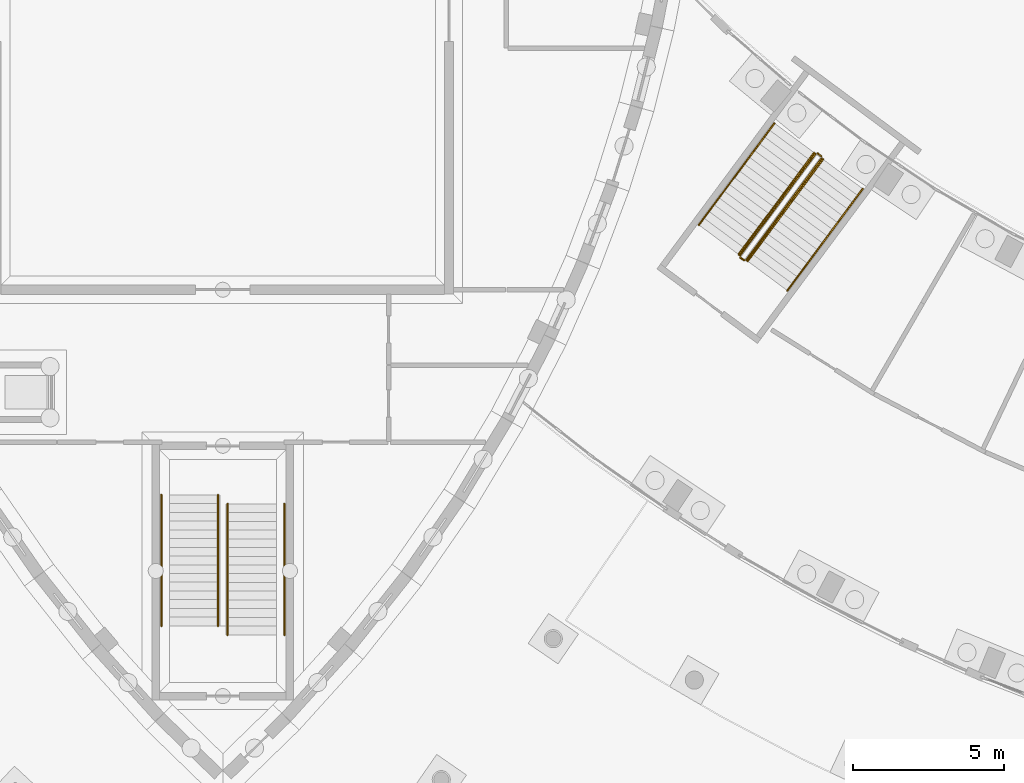
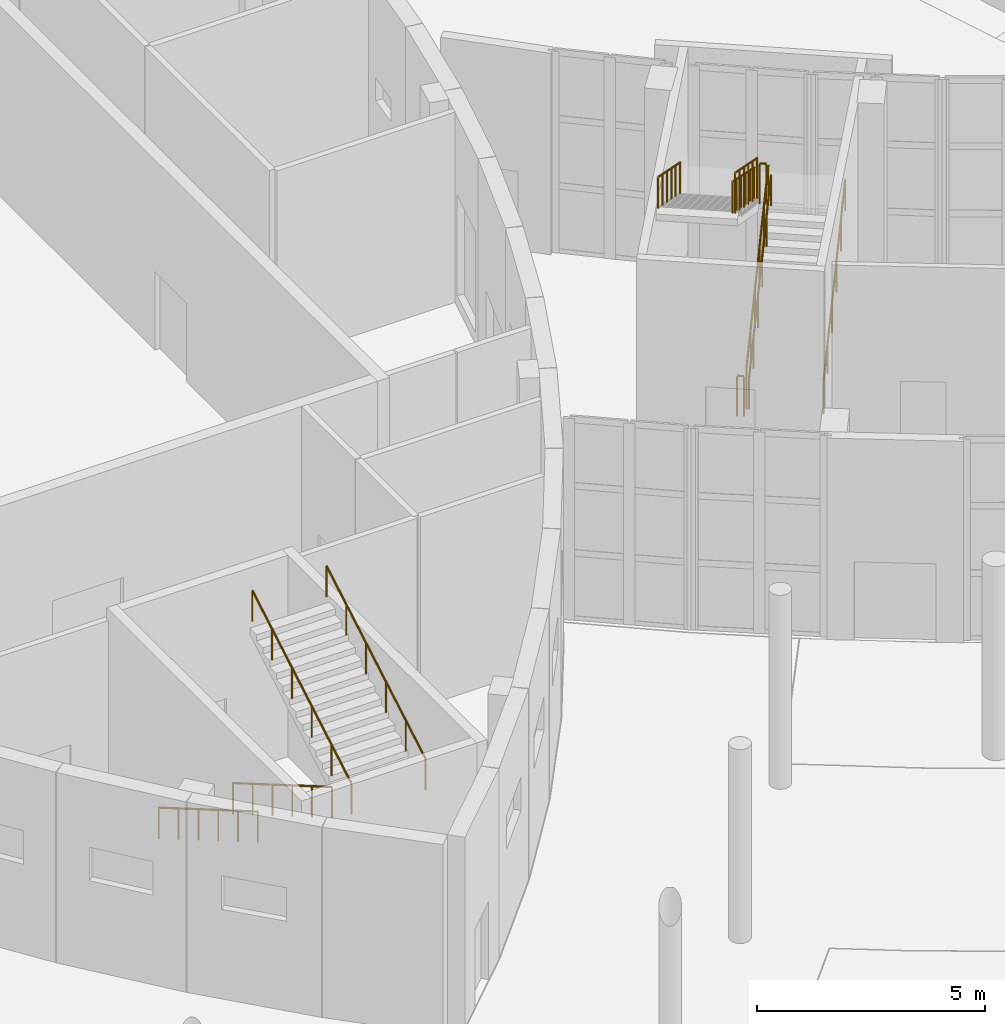
# One storey, part 71 of 82: 12 railings.
"""IFC4 building model written with IfcOpenShell, lengths in metres."""

from ifc_helpers import new_model, si_unit, direction, frame, origin, origin_2d, place, context, subcontext, project, spatial, circle, extrude, material, type_object, element, save


model = new_model("IFC4")

# Units and contexts
model_context = context("Model", 3, precision=1e-05, world=origin(), true_north=direction((0.0, 1.0)))
body_context = subcontext(model_context, "Body", "Model", "MODEL_VIEW")
ifc_project = project(units=[si_unit("LENGTHUNIT", "METRE"), si_unit("AREAUNIT", "SQUARE_METRE"), si_unit("VOLUMEUNIT", "CUBIC_METRE"), si_unit("PLANEANGLEUNIT", "RADIAN"), si_unit("MASSUNIT", "GRAM", prefix="KILO")], contexts=[model_context])

# Site, building, storey
site_placement = place(None, origin())
site = spatial("IfcSite", under=ifc_project, at=site_placement, CompositionType="ELEMENT")
building_placement = place(site_placement, origin())
building = spatial("IfcBuilding", under=site, at=building_placement, Name="Tide Square Theatres", CompositionType="ELEMENT")
storey_placement = place(building_placement, origin())
storey = spatial("IfcBuildingStorey", under=building, at=storey_placement, Name="L00", CompositionType="ELEMENT", Elevation=0.0)

# Railings
ifc_material_1 = material(Name="Painted steel", Category="steel")
railing_type_1 = type_object("IfcRailingType", Name="Steel guard 1100", PredefinedType="GUARDRAIL", material=ifc_material_1)
railing_1_placement = place(storey_placement, frame((53.353515625, 26.486572265625, 0.168701171875)))
element("IfcRailing", 1, at=railing_1_placement, inside=storey, type_object=railing_type_1, Name="L00 F1 stair guard 1", PredefinedType="GUARDRAIL", context=body_context, shape_type="SweptSolid", body=[
    extrude(circle(Radius=0.02392578125, at=origin_2d()), frame((0.0, 0.0, 1.076171875), z_axis=(0.510364798473, 0.687805062034, 0.51618985763), x_axis=(-0.803065723949, 0.595890462265, 0.0)), (0.0, 0.0, 1.0), 4.90380859375),
    extrude(circle(Radius=0.02099609375, at=origin_2d()), origin(), (0.0, 0.0, 1.0), 1.052001953125),
    extrude(circle(Radius=0.02099609375, at=origin_2d()), frame((0.50048828125, 0.674560546875, 0.50634765625)), (0.0, 0.0, 1.0), 1.052001953125),
    extrude(circle(Radius=0.02099609375, at=origin_2d()), frame((1.0009765625, 1.34912109375, 1.012451171875)), (0.0, 0.0, 1.0), 1.052001953125),
    extrude(circle(Radius=0.02099609375, at=origin_2d()), frame((1.501708984375, 2.023681640625, 1.518798828125)), (0.0, 0.0, 1.0), 1.052001953125),
    extrude(circle(Radius=0.02099609375, at=origin_2d()), frame((2.002197265625, 2.6982421875, 2.02490234375)), (0.0, 0.0, 1.0), 1.052001953125),
    extrude(circle(Radius=0.02099609375, at=origin_2d()), frame((2.502685546875, 3.372802734375, 2.53125)), (0.0, 0.0, 1.0), 1.052001953125),
])
railing_2_placement = place(storey_placement, frame((55.845703125, 29.929443359375, 2.699951171875)))
element("IfcRailing", 2, at=railing_2_placement, inside=storey, type_object=railing_type_1, Name="L00 F1 stair guard 2", PredefinedType="GUARDRAIL", context=body_context, shape_type="SweptSolid", body=[
    extrude(circle(Radius=0.02392578125, at=origin_2d()), frame((0.0, 0.0, 1.076171875), z_axis=(-0.802922012097, 0.596084090117, 0.0), x_axis=(-0.596084090117, -0.802922012097, 0.0)), (0.0, 0.0, 1.0), 0.14990234375),
    extrude(circle(Radius=0.02099609375, at=origin_2d()), origin(), (0.0, 0.0, 1.0), 1.052001953125),
    extrude(circle(Radius=0.02099609375, at=origin_2d()), frame((-0.120361328125, 0.08935546875, 0.0)), (0.0, 0.0, 1.0), 1.052001953125),
])
railing_3_placement = place(storey_placement, frame((55.655517578125, 30.008544921875, 2.86865234375)))
element("IfcRailing", 3, at=railing_3_placement, inside=storey, type_object=railing_type_1, Name="L00 F1 stair guard 3", PredefinedType="GUARDRAIL", context=body_context, shape_type="SweptSolid", body=[
    extrude(circle(Radius=0.02392578125, at=origin_2d()), frame((0.0, 0.0, 1.076171875), z_axis=(-0.510347321993, -0.687831294572, 0.516172181682), x_axis=(0.803086363614, -0.59586264573, 0.0)), (0.0, 0.0, 1.0), 4.90380859375),
    extrude(circle(Radius=0.02099609375, at=origin_2d()), origin(), (0.0, 0.0, 1.0), 1.052001953125),
    extrude(circle(Radius=0.02099609375, at=origin_2d()), frame((-0.50048828125, -0.674560546875, 0.50634765625)), (0.0, 0.0, 1.0), 1.052001953125),
    extrude(circle(Radius=0.02099609375, at=origin_2d()), frame((-1.0009765625, -1.34912109375, 1.012451171875)), (0.0, 0.0, 1.0), 1.052001953125),
    extrude(circle(Radius=0.02099609375, at=origin_2d()), frame((-1.501708984375, -2.02392578125, 1.518798828125)), (0.0, 0.0, 1.0), 1.052001953125),
    extrude(circle(Radius=0.02099609375, at=origin_2d()), frame((-2.002197265625, -2.698486328125, 2.02490234375)), (0.0, 0.0, 1.0), 1.052001953125),
    extrude(circle(Radius=0.02099609375, at=origin_2d()), frame((-2.502685546875, -3.373046875, 2.53125)), (0.0, 0.0, 1.0), 1.052001953125),
])
railing_4_placement = place(storey_placement, frame((53.28369140625, 26.47607421875, 0.0)))
element("IfcRailing", 4, at=railing_4_placement, inside=storey, type_object=railing_type_1, Name="L00 F1 stair guard 4", PredefinedType="GUARDRAIL", context=body_context, shape_type="SweptSolid", body=[
    extrude(circle(Radius=0.02392578125, at=origin_2d()), frame((0.0, 0.0, 1.076171875), z_axis=(-0.803499562747, 0.595305344059, 0.0), x_axis=(-0.595305344059, -0.803499562747, 0.0)), (0.0, 0.0, 1.0), 0.150146484375),
    extrude(circle(Radius=0.02099609375, at=origin_2d()), origin(), (0.0, 0.0, 1.0), 1.052001953125),
    extrude(circle(Radius=0.02099609375, at=origin_2d()), frame((-0.12060546875, 0.08935546875, 0.0)), (0.0, 0.0, 1.0), 1.052001953125),
])
ifc_material_2 = material(Name="Painted steel", Category="steel")
railing_type_2 = type_object("IfcRailingType", Name="Steel handrail 850", PredefinedType="HANDRAIL", material=ifc_material_2)
for number, where, name in (
    (5, (33.9599609375, 18.699951171875, 0.168701171875), "Stair handrail 2"),
    (6, (35.840087890625, 18.699951171875, 0.168701171875), "Stair handrail 2"),
):
    element("IfcRailing", number, at=place(storey_placement, frame(where)), inside=storey, type_object=railing_type_2, Name=name, PredefinedType="HANDRAIL", context=body_context, shape_type="SweptSolid", body=[
        extrude(circle(Radius=0.02490234375, at=origin_2d()), frame((0.0, 0.0, 0.8251953125), z_axis=(0.0, -0.864311530196, 0.502956835891), x_axis=(1.0, 0.0, 0.0)), (0.0, 0.0, 1.0), 5.03271484375),
        extrude(circle(Radius=0.02001953125, at=origin_2d()), origin(), (0.0, 0.0, 1.0), 0.800048828125),
        extrude(circle(Radius=0.02001953125, at=origin_2d()), frame((0.0, -0.869873046875, 0.50634765625)), (0.0, 0.0, 1.0), 0.800048828125),
        extrude(circle(Radius=0.02001953125, at=origin_2d()), frame((0.0, -1.739990234375, 1.012451171875)), (0.0, 0.0, 1.0), 0.800048828125),
        extrude(circle(Radius=0.02001953125, at=origin_2d()), frame((0.0, -2.60986328125, 1.518798828125)), (0.0, 0.0, 1.0), 0.800048828125),
        extrude(circle(Radius=0.02001953125, at=origin_2d()), frame((0.0, -3.47998046875, 2.02490234375)), (0.0, 0.0, 1.0), 0.800048828125),
        extrude(circle(Radius=0.02001953125, at=origin_2d()), frame((0.0, -4.349853515625, 2.53125)), (0.0, 0.0, 1.0), 0.800048828125),
    ])
for number, where, name in (
    (7, (36.159912109375, 14.0517578125, 2.86865234375), "Stair handrail 2"),
    (8, (38.0400390625, 14.0517578125, 2.86865234375), "Stair handrail 2"),
):
    element("IfcRailing", number, at=place(storey_placement, frame(where)), inside=storey, type_object=railing_type_2, Name=name, PredefinedType="HANDRAIL", context=body_context, shape_type="SweptSolid", body=[
        extrude(circle(Radius=0.02490234375, at=origin_2d()), frame((0.0, 0.0, 0.8251953125), z_axis=(0.0, 0.864323800911, 0.50293574856), x_axis=(-1.0, 0.0, 0.0)), (0.0, 0.0, 1.0), 5.032958984375),
        extrude(circle(Radius=0.02001953125, at=origin_2d()), origin(), (0.0, 0.0, 1.0), 0.800048828125),
        extrude(circle(Radius=0.02001953125, at=origin_2d()), frame((0.0, 0.8701171875, 0.50634765625)), (0.0, 0.0, 1.0), 0.800048828125),
        extrude(circle(Radius=0.02001953125, at=origin_2d()), frame((0.0, 1.739990234375, 1.012451171875)), (0.0, 0.0, 1.0), 0.800048828125),
        extrude(circle(Radius=0.02001953125, at=origin_2d()), frame((0.0, 2.610107421875, 1.518798828125)), (0.0, 0.0, 1.0), 0.800048828125),
        extrude(circle(Radius=0.02001953125, at=origin_2d()), frame((0.0, 3.47998046875, 2.02490234375)), (0.0, 0.0, 1.0), 0.800048828125),
        extrude(circle(Radius=0.02001953125, at=origin_2d()), frame((0.0, 4.35009765625, 2.53125)), (0.0, 0.0, 1.0), 0.800048828125),
    ])
railing_5_placement = place(storey_placement, frame((54.71875, 25.4736328125, 0.168701171875)))
element("IfcRailing", 9, at=railing_5_placement, inside=storey, type_object=railing_type_2, Name="L00 F1 stair handrail 1", PredefinedType="HANDRAIL", context=body_context, shape_type="SweptSolid", body=[
    extrude(circle(Radius=0.02392578125, at=origin_2d()), frame((0.0, 0.0, 0.826171875), z_axis=(0.510364798473, 0.687805062034, 0.51618985763), x_axis=(-0.803065723949, 0.595890462265, 0.0)), (0.0, 0.0, 1.0), 4.90380859375),
    extrude(circle(Radius=0.02099609375, at=origin_2d()), origin(), (0.0, 0.0, 1.0), 0.802001953125),
    extrude(circle(Radius=0.02099609375, at=origin_2d()), frame((0.50048828125, 0.674560546875, 0.50634765625)), (0.0, 0.0, 1.0), 0.802001953125),
    extrude(circle(Radius=0.02099609375, at=origin_2d()), frame((1.0009765625, 1.34912109375, 1.012451171875)), (0.0, 0.0, 1.0), 0.802001953125),
    extrude(circle(Radius=0.02099609375, at=origin_2d()), frame((1.501708984375, 2.023681640625, 1.518798828125)), (0.0, 0.0, 1.0), 0.802001953125),
    extrude(circle(Radius=0.02099609375, at=origin_2d()), frame((2.002197265625, 2.6982421875, 2.02490234375)), (0.0, 0.0, 1.0), 0.802001953125),
    extrude(circle(Radius=0.02099609375, at=origin_2d()), frame((2.502685546875, 3.372802734375, 2.53125)), (0.0, 0.0, 1.0), 0.802001953125),
])
railing_6_placement = place(storey_placement, frame((53.401611328125, 26.45068359375, 0.168701171875)))
element("IfcRailing", 10, at=railing_6_placement, inside=storey, type_object=railing_type_2, Name="L00 F1 stair handrail 2", PredefinedType="HANDRAIL", context=body_context, shape_type="SweptSolid", body=[
    extrude(circle(Radius=0.02392578125, at=origin_2d()), frame((0.0, 0.0, 0.826171875), z_axis=(0.510347321993, 0.687831294572, 0.516172181682), x_axis=(-0.803086363614, 0.59586264573, 0.0)), (0.0, 0.0, 1.0), 4.90380859375),
    extrude(circle(Radius=0.02099609375, at=origin_2d()), origin(), (0.0, 0.0, 1.0), 0.802001953125),
    extrude(circle(Radius=0.02099609375, at=origin_2d()), frame((0.50048828125, 0.674560546875, 0.50634765625)), (0.0, 0.0, 1.0), 0.802001953125),
    extrude(circle(Radius=0.02099609375, at=origin_2d()), frame((1.0009765625, 1.34912109375, 1.012451171875)), (0.0, 0.0, 1.0), 0.802001953125),
    extrude(circle(Radius=0.02099609375, at=origin_2d()), frame((1.501708984375, 2.02392578125, 1.518798828125)), (0.0, 0.0, 1.0), 0.802001953125),
    extrude(circle(Radius=0.02099609375, at=origin_2d()), frame((2.002197265625, 2.698486328125, 2.02490234375)), (0.0, 0.0, 1.0), 0.802001953125),
    extrude(circle(Radius=0.02099609375, at=origin_2d()), frame((2.502685546875, 3.373046875, 2.53125)), (0.0, 0.0, 1.0), 0.802001953125),
])
for number, where, name in (
    (11, (54.290283203125, 31.021484375, 2.86865234375), "L00 F1 stair handrail 3"),
    (12, (55.607177734375, 30.044189453125, 2.86865234375), "L00 F1 stair handrail 4"),
):
    element("IfcRailing", number, at=place(storey_placement, frame(where)), inside=storey, type_object=railing_type_2, Name=name, PredefinedType="HANDRAIL", context=body_context, shape_type="SweptSolid", body=[
        extrude(circle(Radius=0.02392578125, at=origin_2d()), frame((0.0, 0.0, 0.826171875), z_axis=(-0.510347321993, -0.687831294572, 0.516172181682), x_axis=(0.803086363614, -0.59586264573, 0.0)), (0.0, 0.0, 1.0), 4.90380859375),
        extrude(circle(Radius=0.02099609375, at=origin_2d()), origin(), (0.0, 0.0, 1.0), 0.802001953125),
        extrude(circle(Radius=0.02099609375, at=origin_2d()), frame((-0.50048828125, -0.674560546875, 0.50634765625)), (0.0, 0.0, 1.0), 0.802001953125),
        extrude(circle(Radius=0.02099609375, at=origin_2d()), frame((-1.0009765625, -1.34912109375, 1.012451171875)), (0.0, 0.0, 1.0), 0.802001953125),
        extrude(circle(Radius=0.02099609375, at=origin_2d()), frame((-1.501708984375, -2.02392578125, 1.518798828125)), (0.0, 0.0, 1.0), 0.802001953125),
        extrude(circle(Radius=0.02099609375, at=origin_2d()), frame((-2.002197265625, -2.698486328125, 2.02490234375)), (0.0, 0.0, 1.0), 0.802001953125),
        extrude(circle(Radius=0.02099609375, at=origin_2d()), frame((-2.502685546875, -3.373046875, 2.53125)), (0.0, 0.0, 1.0), 0.802001953125),
    ])

save(model, "model.ifc")
